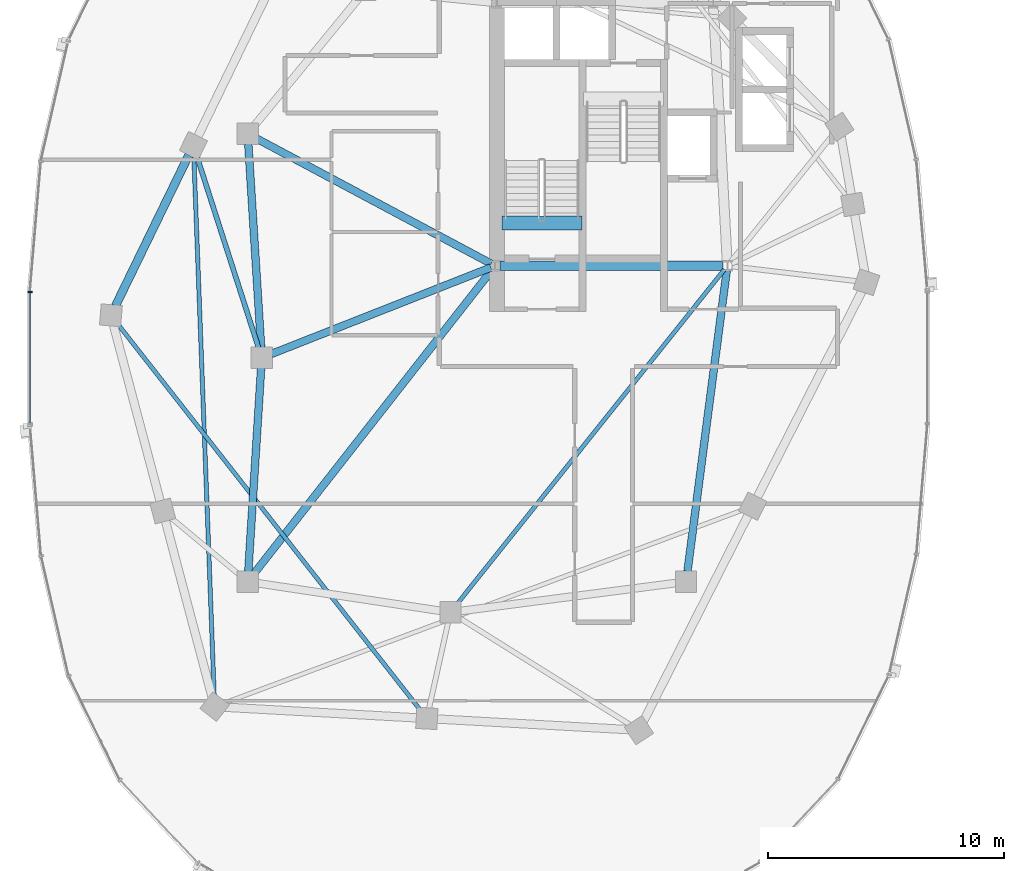
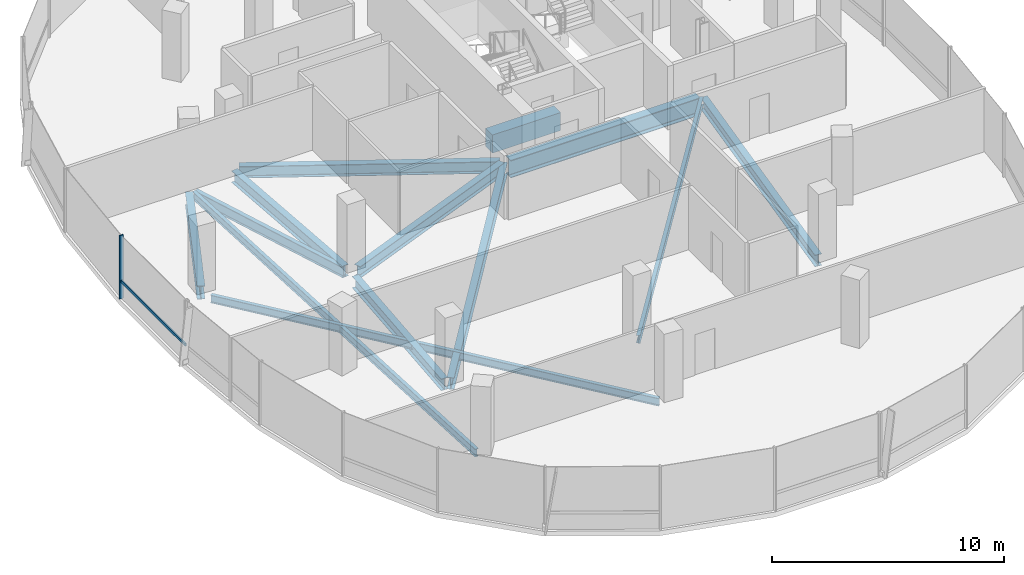
# One storey, part 4 of 25: 13 beams, 2 members, 1 element without a shape of its own.
"""IFC4 building model written with IfcOpenShell, lengths in metres."""

from ifc_helpers import new_model, si_unit, direction, frame, origin, origin_2d, place, context, subcontext, project, spatial, rectangle, i_section, extrude, material, material_profile, profile_set, type_object, element, aggregate, save


model = new_model("IFC4")

# Units and contexts
model_context = context("Model", 3, precision=1e-05, world=origin(), true_north=direction((0.0, 1.0)))
body_context = subcontext(model_context, "Body", "Model", "MODEL_VIEW")
ifc_project = project(units=[si_unit("LENGTHUNIT", "METRE"), si_unit("AREAUNIT", "SQUARE_METRE"), si_unit("VOLUMEUNIT", "CUBIC_METRE"), si_unit("PLANEANGLEUNIT", "RADIAN"), si_unit("MASSUNIT", "GRAM", prefix="KILO"), si_unit("THERMODYNAMICTEMPERATUREUNIT", "KELVIN"), si_unit("POWERUNIT", "WATT")], contexts=[model_context])

# Site, building, storey
site_placement = place(None, origin())
site = spatial("IfcSite", under=ifc_project, at=site_placement, CompositionType="ELEMENT")
building_placement = place(site_placement, origin())
building = spatial("IfcBuilding", under=site, at=building_placement, Name="Cundina Bronze Exchange", CompositionType="ELEMENT")
storey_placement = place(building_placement, frame((0.0, 0.0, 224.199951171875)))
storey = spatial("IfcBuildingStorey", under=building, at=storey_placement, Name="L59", CompositionType="ELEMENT", Elevation=224.199951171875)

# Beams
ifc_material_1 = material(Name="Concrete C60/75", Category="concrete")
ifc_material_profile_1 = material_profile(ifc_material_1, rectangle(XDim=0.60009765625, YDim=0.949951171875, at=origin_2d()), Name="RC600X950", Category="concrete")
ifc_profile_set_1 = profile_set([ifc_material_profile_1], Name="Concrete C60/75")
beam_type_1 = type_object("IfcBeamType", Name="BM-COUP-RC950", PredefinedType="LINTEL", material=ifc_profile_set_1)
beam_1_placement = place(storey_placement, frame((-31.02001953125, 5.719970703125, -0.474853515625), z_axis=(1.0, 0.0, 0.0), x_axis=(0.0, 1.0, 0.0)))
element("IfcBeam", 1, at=beam_1_placement, inside=storey, type_object=beam_type_1, Name="L59 Stair W1 Landing Header Beam", PredefinedType="LINTEL", context=body_context, shape_type="SweptSolid", body=[
    extrude(rectangle(XDim=0.60009765625, YDim=0.949951171875, at=origin_2d()), origin(), (0.0, 0.0, 1.0), 3.39990234375),
])
ifc_material_2 = material(Name="Steel ASTM A992 Grade 50", Category="steel")
ifc_material_profile_2 = material_profile(ifc_material_2, i_section(OverallWidth=0.2119140625, OverallDepth=0.5439453125, WebThickness=0.01318359375, FlangeThickness=0.021240234375, FilletRadius=0.013916015625, at=origin_2d()), Name="W21X83", Category="steel")
ifc_profile_set_2 = profile_set([ifc_material_profile_2], Name="Steel ASTM A992 Grade 50")
beam_type_2 = type_object("IfcBeamType", Name="BM-FLR-W21A", PredefinedType="BEAM", material=ifc_profile_set_2)
beam_2_placement = place(storey_placement, frame((-41.334228515625, 0.4169921875, -0.531982421875), z_axis=(-0.306727566953, 0.951797352208, 0.0), x_axis=(-0.951797352208, -0.306727566953, 0.0)))
element("IfcBeam", 2, at=beam_2_placement, inside=storey, type_object=beam_type_2, Name="L59 Leg W Radial Floor Beam 07", PredefinedType="BEAM", context=body_context, shape_type="SweptSolid", body=[
    extrude(i_section(OverallWidth=0.2119140625, OverallDepth=0.5439453125, WebThickness=0.01318359375, FlangeThickness=0.021240234375, FilletRadius=0.013916015625, at=origin_2d()), origin(), (0.0, 0.0, 1.0), 8.57958984375),
])
ifc_material_profile_3 = material_profile(ifc_material_2, i_section(OverallWidth=0.178955078125, OverallDepth=0.409912109375, WebThickness=0.0087890625, FlangeThickness=0.014404296875, FilletRadius=0.010986328125, at=origin_2d()), Name="W16X45", Category="steel")
ifc_profile_set_3 = profile_set([ifc_material_profile_3], Name="Steel ASTM A992 Grade 50")
beam_type_3 = type_object("IfcBeamType", Name="BM-JST-W16", PredefinedType="JOIST", material=ifc_profile_set_3)
beam_3_placement = place(storey_placement, frame((-21.572509765625, 3.746826171875, -0.46484375), z_axis=(-0.624364266872, -0.781133319129, 0.0), x_axis=(0.781133319129, -0.624364266872, 0.0)))
element("IfcBeam", 3, at=beam_3_placement, inside=storey, type_object=beam_type_3, Name="L59 W Interior Core-to-Ring Joist 2", PredefinedType="JOIST", context=body_context, shape_type="SweptSolid", body=[
    extrude(i_section(OverallWidth=0.178955078125, OverallDepth=0.409912109375, WebThickness=0.0087890625, FlangeThickness=0.014404296875, FilletRadius=0.010986328125, at=origin_2d()), origin(), (0.0, 0.0, 1.0), 18.184814453125),
])
beam_4_placement = place(storey_placement, frame((-44.08349609375, 8.562255859375, -0.46484375), z_axis=(0.037790216102, -0.999285694667, 0.0), x_axis=(0.999285694667, 0.037790216102, 0.0)))
element("IfcBeam", 4, at=beam_4_placement, inside=storey, type_object=beam_type_3, Name="L59 Leg W Lobe Floor Joist 07-10", PredefinedType="JOIST", context=body_context, shape_type="SweptSolid", body=[
    extrude(i_section(OverallWidth=0.178955078125, OverallDepth=0.409912109375, WebThickness=0.0087890625, FlangeThickness=0.014404296875, FilletRadius=0.010986328125, at=origin_2d()), origin(), (0.0, 0.0, 1.0), 22.94091796875),
])
beam_5_placement = place(storey_placement, frame((-47.329833984375, 1.455078125, -0.46484375), z_axis=(0.616810493522, -0.787111691618, 0.0), x_axis=(0.787111691618, 0.616810493522, 0.0)))
element("IfcBeam", 5, at=beam_5_placement, inside=storey, type_object=beam_type_3, Name="L59 Leg W Lobe Floor Joist 08-11", PredefinedType="JOIST", context=body_context, shape_type="SweptSolid", body=[
    extrude(i_section(OverallWidth=0.178955078125, OverallDepth=0.409912109375, WebThickness=0.0087890625, FlangeThickness=0.014404296875, FilletRadius=0.010986328125, at=origin_2d()), origin(), (0.0, 0.0, 1.0), 20.8486328125),
])
ifc_material_profile_4 = material_profile(ifc_material_2, i_section(OverallWidth=0.324951171875, OverallDepth=0.615966796875, WebThickness=0.013916015625, FlangeThickness=0.021484375, FilletRadius=0.01611328125, at=origin_2d()), Name="W24X117", Category="steel")
ifc_profile_set_4 = profile_set([ifc_material_profile_4], Name="Steel ASTM A992 Grade 50")
beam_type_4 = type_object("IfcBeamType", Name="BM-RING-W24", PredefinedType="USERDEFINED", material=ifc_profile_set_4)
for number, where, z_axis, x_axis, name in (
    (6, (-41.7724609375, 9.06298828125, -0.56787109375), (0.063046519736, -0.998010589297, 0.0), (0.998010589297, 0.063046519736, 0.0), "L59 W Inner Structural Ring Girder 03"),
    (7, (-41.2275390625, -0.43701171875, -0.56787109375), (-0.063046519736, -0.998010589297, 0.0), (0.998010589297, -0.063046519736, 0.0), "L59 W Inner Structural Ring Girder 04"),
):
    element("IfcBeam", number, at=place(storey_placement, frame(where, z_axis=z_axis, x_axis=x_axis)), inside=storey, type_object=beam_type_4, Name=name, ObjectType="GIRDER", PredefinedType="USERDEFINED", context=body_context, shape_type="SweptSolid", body=[
        extrude(i_section(OverallWidth=0.324951171875, OverallDepth=0.615966796875, WebThickness=0.013916015625, FlangeThickness=0.021484375, FilletRadius=0.01611328125, at=origin_2d()), origin(), (0.0, 0.0, 1.0), 8.64306640625),
    ])
beam_6_placement = place(storey_placement, frame((-23.143310546875, -9.065673828125, -0.56787109375), z_axis=(0.129501251979, 0.991579258424, 0.0), x_axis=(-0.991579258424, 0.129501251979, 0.0)))
element("IfcBeam", 8, at=beam_6_placement, inside=storey, type_object=beam_type_4, Name="L59 W Inner Structural Ring Girder 07", ObjectType="GIRDER", PredefinedType="USERDEFINED", context=body_context, shape_type="SweptSolid", body=[
    extrude(i_section(OverallWidth=0.324951171875, OverallDepth=0.615966796875, WebThickness=0.013916015625, FlangeThickness=0.021484375, FilletRadius=0.01611328125, at=origin_2d()), origin(), (0.0, 0.0, 1.0), 12.8798828125),
])
beam_7_placement = place(storey_placement, frame((-31.482421875, 3.828125, -0.56787109375), z_axis=(-0.930404106569, -0.366535398673, 0.0), x_axis=(0.366535398673, -0.930404106569, 0.0)))
element("IfcBeam", 9, at=beam_7_placement, inside=storey, type_object=beam_type_4, Name="L59 W Core-to-Waist Tie Beam 1", ObjectType="GIRDER", PredefinedType="USERDEFINED", context=body_context, shape_type="SweptSolid", body=[
    extrude(i_section(OverallWidth=0.324951171875, OverallDepth=0.615966796875, WebThickness=0.013916015625, FlangeThickness=0.021484375, FilletRadius=0.01611328125, at=origin_2d()), origin(), (0.0, 0.0, 1.0), 10.00634765625),
])
beam_8_placement = place(storey_placement, frame((-31.472900390625, 3.9921875, -0.56787109375), z_axis=(-0.882350541683, 0.470592734317, 0.0), x_axis=(-0.470592734317, -0.882350541683, 0.0)))
element("IfcBeam", 10, at=beam_8_placement, inside=storey, type_object=beam_type_4, Name="L59 W Core-to-Waist Tie Beam 2", ObjectType="GIRDER", PredefinedType="USERDEFINED", context=body_context, shape_type="SweptSolid", body=[
    extrude(i_section(OverallWidth=0.324951171875, OverallDepth=0.615966796875, WebThickness=0.013916015625, FlangeThickness=0.021484375, FilletRadius=0.01611328125, at=origin_2d()), origin(), (0.0, 0.0, 1.0), 11.26611328125),
])
beam_9_placement = place(storey_placement, frame((-31.4208984375, 3.74560546875, -0.56787109375), z_axis=(-0.616782900053, -0.787133314123, 0.0), x_axis=(0.787133314123, -0.616782900053, 0.0)))
element("IfcBeam", 11, at=beam_9_placement, inside=storey, type_object=beam_type_4, Name="L59 W Core-to-Waist Tie Beam 3", ObjectType="GIRDER", PredefinedType="USERDEFINED", context=body_context, shape_type="SweptSolid", body=[
    extrude(i_section(OverallWidth=0.324951171875, OverallDepth=0.615966796875, WebThickness=0.013916015625, FlangeThickness=0.021484375, FilletRadius=0.01611328125, at=origin_2d()), origin(), (0.0, 0.0, 1.0), 16.3896484375),
])
ifc_material_profile_5 = material_profile(ifc_material_2, i_section(OverallWidth=0.35498046875, OverallDepth=0.695068359375, WebThickness=0.015380859375, FlangeThickness=0.02490234375, FilletRadius=0.01806640625, at=origin_2d()), Name="W27X146", Category="steel")
ifc_profile_set_5 = profile_set([ifc_material_profile_5], Name="Steel ASTM A992 Grade 50")
beam_type_5 = type_object("IfcBeamType", Name="BM-RING-W27", PredefinedType="USERDEFINED", material=ifc_profile_set_5)
beam_10_placement = place(storey_placement, frame((-44.29150390625, 8.606201171875, -0.607421875), z_axis=(-0.437173087764, -0.89937739094, 0.0), x_axis=(0.89937739094, -0.437173087764, 0.0)))
element("IfcBeam", 12, at=beam_10_placement, inside=storey, type_object=beam_type_5, Name="L59 W Perimeter Ring Girder 07", ObjectType="GIRDER", PredefinedType="USERDEFINED", context=body_context, shape_type="SweptSolid", body=[
    extrude(i_section(OverallWidth=0.35498046875, OverallDepth=0.695068359375, WebThickness=0.015380859375, FlangeThickness=0.02490234375, FilletRadius=0.01806640625, at=origin_2d()), origin(), (0.0, 0.0, 1.0), 7.1298828125),
])
ifc_material_profile_6 = material_profile(ifc_material_2, i_section(OverallWidth=0.41796875, OverallDepth=0.927001953125, WebThickness=0.019287109375, FlangeThickness=0.031982421875, FilletRadius=0.02392578125, at=origin_2d()), Name="W36X231", Category="steel")
ifc_profile_set_6 = profile_set([ifc_material_profile_6], Name="Steel ASTM A992 Grade 50")
beam_type_6 = type_object("IfcBeamType", Name="BM-WRN-W36B", PredefinedType="USERDEFINED", material=ifc_profile_set_6)
beam_11_placement = place(storey_placement, frame((-31.10400390625, 3.89990234375, -0.723388671875), z_axis=(1.0, 0.0, 0.0), x_axis=(0.0, 1.0, 0.0)))
element("IfcBeam", 13, at=beam_11_placement, inside=storey, type_object=beam_type_6, Name="L59 W Core Perimeter Tie Girder 1", ObjectType="GIRDER", PredefinedType="USERDEFINED", context=body_context, shape_type="SweptSolid", body=[
    extrude(i_section(OverallWidth=0.41796875, OverallDepth=0.927001953125, WebThickness=0.019287109375, FlangeThickness=0.031982421875, FilletRadius=0.02392578125, at=origin_2d()), origin(), (0.0, 0.0, 1.0), 9.4580078125),
])

# Curtain wall, members
ifc_material_3 = material(Name="Anodised Bronze Aluminium 6063-T6", Category="aluminium")
curtain_wall_type = type_object("IfcCurtainWallType", Name="CWS-UPP-OFF", PredefinedType="NOTDEFINED", material=ifc_material_3)
curtain_wall_placement = place(storey_placement, origin())
curtain_wall = element("IfcCurtainWall", 14, at=curtain_wall_placement, inside=storey, type_object=curtain_wall_type, Name="L59 CW-05 Curtain Wall Run CWR-L59-W2", PredefinedType="NOTDEFINED")
ifc_material_profile_7 = material_profile(ifc_material_3, rectangle(XDim=0.070068359375, YDim=0.18994140625, at=origin_2d()), Name="AL70X190", Category="aluminium")
ifc_profile_set_7 = profile_set([ifc_material_profile_7], Name="Anodised Bronze Aluminium 6063-T6")
member_type_1 = type_object("IfcMemberType", Name="CWM-MUL-190", PredefinedType="MULLION", material=ifc_profile_set_7)
member_1_placement = place(storey_placement, frame((-51.033935546875, 2.794921875, 0.0), z_axis=(0.0, 0.0, 1.0), x_axis=(0.0, -1.0, 0.0)))
member_1 = element("IfcMember", 15, at=member_1_placement, type_object=member_type_1, Name="CW-05 Mullion 7", PredefinedType="MULLION", context=body_context, shape_type="SweptSolid", body=[
    extrude(rectangle(XDim=0.070068359375, YDim=0.18994140625, at=origin_2d()), origin(), (0.0, 0.0, 1.0), 3.340087890625),
])
ifc_material_profile_8 = material_profile(ifc_material_3, rectangle(XDim=0.06494140625, YDim=0.14990234375, at=origin_2d()), Name="AL65X150", Category="aluminium")
ifc_profile_set_8 = profile_set([ifc_material_profile_8], Name="Anodised Bronze Aluminium 6063-T6")
member_type_2 = type_object("IfcMemberType", Name="CWM-TRN-150", PredefinedType="USERDEFINED", material=ifc_profile_set_8)
member_2_placement = place(storey_placement, frame((-51.033935546875, 2.756591796875, 0.920166015625), z_axis=(0.0, -1.0, 0.0), x_axis=(1.0, 0.0, 0.0)))
member_2 = element("IfcMember", 16, at=member_2_placement, type_object=member_type_2, Name="CW-05 Spandrel Transom 7", ObjectType="TRANSOM", PredefinedType="USERDEFINED", context=body_context, shape_type="SweptSolid", body=[
    extrude(rectangle(XDim=0.06494140625, YDim=0.14990234375, at=origin_2d()), origin(), (0.0, 0.0, 1.0), 5.51318359375),
])
aggregate(curtain_wall, [member_1, member_2])

save(model, "model.ifc")
